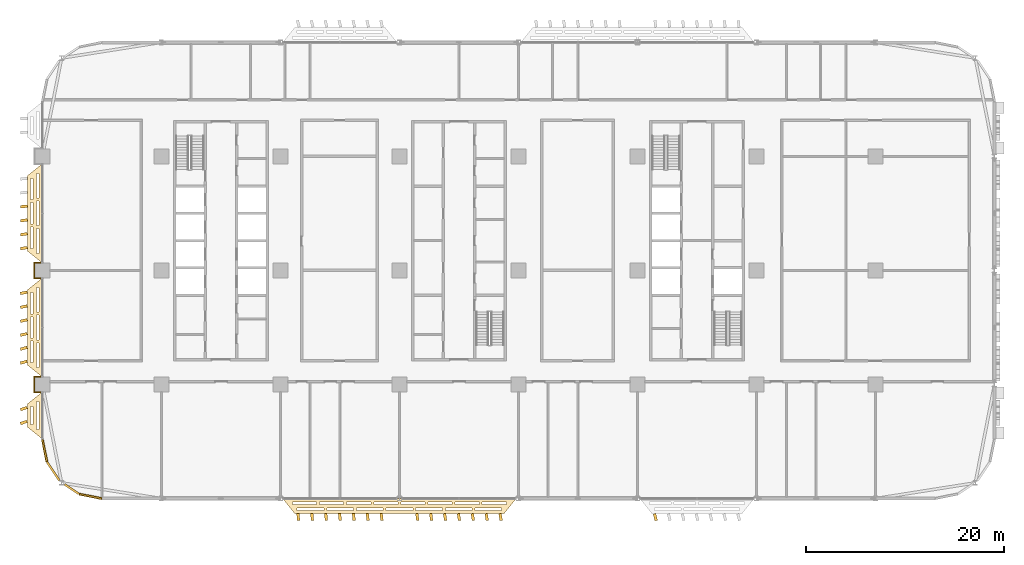
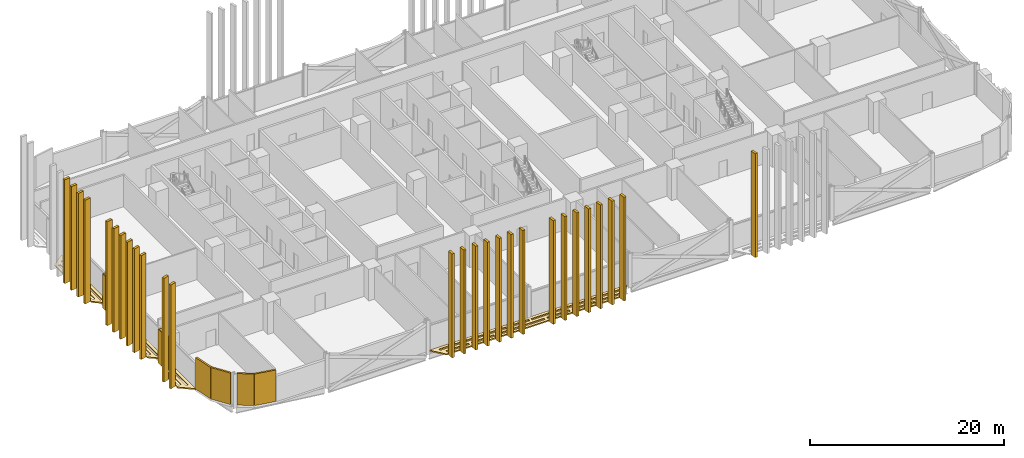
# One storey, part 24 of 29: 37 coverings.
"""IFC4 building model written with IfcOpenShell, lengths in metres."""

from ifc_helpers import new_model, si_unit, direction, frame, origin, origin_2d, place, context, subcontext, project, spatial, polyline, rectangle, outline, extrude, material, layer, layer_set, type_object, element, save


model = new_model("IFC4")

# Units and contexts
model_context = context("Model", 3, precision=1e-05, world=origin(), true_north=direction((0.0, 1.0)))
body_context = subcontext(model_context, "Body", "Model", "MODEL_VIEW")
ifc_project = project(units=[si_unit("LENGTHUNIT", "METRE"), si_unit("AREAUNIT", "SQUARE_METRE"), si_unit("VOLUMEUNIT", "CUBIC_METRE"), si_unit("PLANEANGLEUNIT", "RADIAN"), si_unit("MASSUNIT", "GRAM", prefix="KILO")], contexts=[model_context])

# Site, building, storey
site_placement = place(None, origin())
site = spatial("IfcSite", under=ifc_project, at=site_placement, CompositionType="ELEMENT")
building_placement = place(site_placement, origin())
building = spatial("IfcBuilding", under=site, at=building_placement, Name="Mahtab Terrace Research Tower", CompositionType="ELEMENT")
storey_placement = place(building_placement, frame((0.0, 0.0, 63.199951171875)))
storey = spatial("IfcBuildingStorey", under=building, at=storey_placement, Name="L14", CompositionType="ELEMENT", Elevation=63.199951171875)

# Coverings
ifc_material_1 = material(Name="Black aluminium cladding panel", Category="aluminium")
ifc_layer_1 = layer(ifc_material_1, 0.199951171875)
ifc_layer_set_1 = layer_set([ifc_layer_1], Name="Black metal corner cladding 200")
covering_type_1 = type_object("IfcCoveringType", Name="Black metal corner cladding 200", PredefinedType="CLADDING", material=ifc_layer_set_1)
covering_1_placement = place(storey_placement, frame((-41.771484375, -18.14794921875, 0.0), z_axis=(0.0, 0.0, 1.0), x_axis=(0.195212442692, -0.980760981187, 0.0)))
element("IfcCovering", 1, at=covering_1_placement, inside=storey, type_object=covering_type_1, Name="Corner cladding L14 19", PredefinedType="CLADDING", context=body_context, shape_type="SweptSolid", body=[
    extrude(rectangle(XDim=2.30126953125, YDim=0.199951171875, at=origin_2d()), origin(), (0.0, 0.0, 1.0), 3.9599609375),
])
covering_2_placement = place(storey_placement, frame((-40.911376953125, -20.2421875, 0.0), z_axis=(0.0, 0.0, 1.0), x_axis=(0.555291490808, -0.831655794326, 0.0)))
element("IfcCovering", 2, at=covering_2_placement, inside=storey, type_object=covering_type_1, Name="Corner cladding L14 20", PredefinedType="CLADDING", context=body_context, shape_type="SweptSolid", body=[
    extrude(rectangle(XDim=2.235595703125, YDim=0.199951171875, at=origin_2d()), origin(), (0.0, 0.0, 1.0), 3.9599609375),
])
covering_3_placement = place(storey_placement, frame((-39.0380859375, -22.047607421875, 0.0), z_axis=(0.0, 0.0, 1.0), x_axis=(0.831655794326, -0.555291490808, 0.0)))
element("IfcCovering", 3, at=covering_3_placement, inside=storey, type_object=covering_type_1, Name="Corner cladding L14 21", PredefinedType="CLADDING", context=body_context, shape_type="SweptSolid", body=[
    extrude(rectangle(XDim=1.74462890625, YDim=0.199951171875, at=origin_2d()), origin(), (0.0, 0.0, 1.0), 3.9599609375),
])
covering_4_placement = place(storey_placement, frame((-37.14794921875, -22.771484375, 0.0), z_axis=(0.0, 0.0, 1.0), x_axis=(0.980760981187, -0.195212442692, 0.0)))
element("IfcCovering", 4, at=covering_4_placement, inside=storey, type_object=covering_type_1, Name="Corner cladding L14 22", PredefinedType="CLADDING", context=body_context, shape_type="SweptSolid", body=[
    extrude(rectangle(XDim=2.30126953125, YDim=0.199951171875, at=origin_2d()), origin(), (0.0, 0.0, 1.0), 3.9599609375),
])
ifc_material_2 = material(Name="Dark anodised aluminium cladding", Category="aluminium")
ifc_layer_2 = layer(ifc_material_2, 0.10009765625)
ifc_layer_set_2 = layer_set([ifc_layer_2], Name="Column casing 100")
covering_type_2 = type_object("IfcCoveringType", Name="Column casing 100", PredefinedType="CLADDING", material=ifc_layer_set_2)
covering_5_placement = place(storey_placement, frame((0.0, 0.0, -0.33984375)))
element("IfcCovering", 5, at=covering_5_placement, inside=storey, type_object=covering_type_2, Name="Column casing RC-1A L14", PredefinedType="CLADDING", context=body_context, shape_type="SweptSolid", body=[
    extrude(outline(polyline([(-42.85009765625, -10.64990234375), (-42.0, -10.64990234375), (-42.0, -10.75), (-42.75, -10.75), (-42.75, -12.25), (-42.0, -12.25), (-42.0, -12.35009765625), (-42.85009765625, -12.35009765625), (-42.85009765625, -10.64990234375)])), origin(), (0.0, 0.0, 1.0), 4.2998046875),
])
covering_6_placement = place(storey_placement, frame((0.0, 0.0, -0.33984375)))
element("IfcCovering", 6, at=covering_6_placement, inside=storey, type_object=covering_type_2, Name="Column casing RC-1B L14", PredefinedType="CLADDING", context=body_context, shape_type="SweptSolid", body=[
    extrude(outline(polyline([(-42.85009765625, 0.85009765625), (-42.0, 0.85009765625), (-42.0, 0.75), (-42.75, 0.75), (-42.75, -0.75), (-42.0, -0.75), (-42.0, -0.85009765625), (-42.85009765625, -0.85009765625), (-42.85009765625, 0.85009765625)])), origin(), (0.0, 0.0, 1.0), 4.2998046875),
])
ifc_material_3 = material(Name="Black anodised aluminium", Category="aluminium")
ifc_layer_3 = layer(ifc_material_3, 0.14990234375)
ifc_layer_set_3 = layer_set([ifc_layer_3], Name="Horizontal sunshade band")
covering_type_3 = type_object("IfcCoveringType", Name="Horizontal sunshade band", PredefinedType="CLADDING", material=ifc_layer_set_3)
covering_7_placement = place(storey_placement, frame((0.0, 0.0, -0.14990234375)))
element("IfcCovering", 7, at=covering_7_placement, inside=storey, type_object=covering_type_3, Name="Sunshade band L14 16", PredefinedType="CLADDING", context=body_context, shape_type="SweptSolid", body=[
    extrude(outline(polyline([(-42.0, 10.75), (-42.0, 0.75), (-43.5, 1.949951171875), (-43.5, 9.550048828125), (-42.0, 10.75)]), holes=[polyline([(-42.35009765625, 9.77001953125), (-42.35009765625, 7.2900390625), (-42.60009765625, 7.2900390625), (-42.60009765625, 9.77001953125), (-42.35009765625, 9.77001953125)]), polyline([(-42.35009765625, 6.989990234375), (-42.35009765625, 4.510009765625), (-42.60009765625, 4.510009765625), (-42.60009765625, 6.989990234375), (-42.35009765625, 6.989990234375)]), polyline([(-42.35009765625, 4.2099609375), (-42.35009765625, 1.72998046875), (-42.60009765625, 1.72998046875), (-42.60009765625, 4.2099609375), (-42.35009765625, 4.2099609375)]), polyline([(-42.949951171875, 9.2900390625), (-42.949951171875, 7.1298828125), (-43.199951171875, 7.1298828125), (-43.199951171875, 9.2900390625), (-42.949951171875, 9.2900390625)]), polyline([(-42.949951171875, 6.830078125), (-42.949951171875, 4.669921875), (-43.199951171875, 4.669921875), (-43.199951171875, 6.830078125), (-42.949951171875, 6.830078125)]), polyline([(-42.949951171875, 4.3701171875), (-42.949951171875, 2.2099609375), (-43.199951171875, 2.2099609375), (-43.199951171875, 4.3701171875), (-42.949951171875, 4.3701171875)])]), origin(), (0.0, 0.0, 1.0), 0.14990234375),
])
covering_8_placement = place(storey_placement, frame((0.0, 0.0, -0.14990234375)))
element("IfcCovering", 8, at=covering_8_placement, inside=storey, type_object=covering_type_3, Name="Sunshade band L14 17", PredefinedType="CLADDING", context=body_context, shape_type="SweptSolid", body=[
    extrude(outline(polyline([(-42.0, -0.75), (-42.0, -10.75), (-43.5, -9.550048828125), (-43.5, -1.949951171875), (-42.0, -0.75)]), holes=[polyline([(-42.35009765625, -1.72998046875), (-42.35009765625, -4.2099609375), (-42.60009765625, -4.2099609375), (-42.60009765625, -1.72998046875), (-42.35009765625, -1.72998046875)]), polyline([(-42.35009765625, -4.510009765625), (-42.35009765625, -6.989990234375), (-42.60009765625, -6.989990234375), (-42.60009765625, -4.510009765625), (-42.35009765625, -4.510009765625)]), polyline([(-42.35009765625, -7.2900390625), (-42.35009765625, -9.77001953125), (-42.60009765625, -9.77001953125), (-42.60009765625, -7.2900390625), (-42.35009765625, -7.2900390625)]), polyline([(-42.949951171875, -2.2099609375), (-42.949951171875, -4.3701171875), (-43.199951171875, -4.3701171875), (-43.199951171875, -2.2099609375), (-42.949951171875, -2.2099609375)]), polyline([(-42.949951171875, -4.669921875), (-42.949951171875, -6.830078125), (-43.199951171875, -6.830078125), (-43.199951171875, -4.669921875), (-42.949951171875, -4.669921875)]), polyline([(-42.949951171875, -7.1298828125), (-42.949951171875, -9.2900390625), (-43.199951171875, -9.2900390625), (-43.199951171875, -7.1298828125), (-42.949951171875, -7.1298828125)])]), origin(), (0.0, 0.0, 1.0), 0.14990234375),
])
covering_9_placement = place(storey_placement, frame((0.0, 0.0, -0.14990234375)))
element("IfcCovering", 9, at=covering_9_placement, inside=storey, type_object=covering_type_3, Name="Sunshade band L14 18", PredefinedType="CLADDING", context=body_context, shape_type="SweptSolid", body=[
    extrude(outline(polyline([(-42.0, -12.25), (-42.0, -17.0), (-43.5, -15.800048828125), (-43.5, -13.449951171875), (-42.0, -12.25)]), holes=[polyline([(-42.35009765625, -13.22998046875), (-42.35009765625, -16.02001953125), (-42.60009765625, -16.02001953125), (-42.60009765625, -13.22998046875), (-42.35009765625, -13.22998046875)]), polyline([(-42.949951171875, -13.7099609375), (-42.949951171875, -15.5400390625), (-43.199951171875, -15.5400390625), (-43.199951171875, -13.7099609375), (-42.949951171875, -13.7099609375)])]), origin(), (0.0, 0.0, 1.0), 0.14990234375),
])
covering_10_placement = place(storey_placement, frame((0.0, 0.0, -0.14990234375)))
element("IfcCovering", 10, at=covering_10_placement, inside=storey, type_object=covering_type_3, Name="Sunshade band L14 25", PredefinedType="CLADDING", context=body_context, shape_type="SweptSolid", body=[
    extrude(outline(polyline([(-17.761962890625, -23.0), (5.761962890625, -23.0), (4.56201171875, -24.5), (-16.56201171875, -24.5), (-17.761962890625, -23.0)]), holes=[polyline([(-16.781982421875, -23.35009765625), (-14.34912109375, -23.35009765625), (-14.34912109375, -23.60009765625), (-16.781982421875, -23.60009765625), (-16.781982421875, -23.35009765625)]), polyline([(-14.049072265625, -23.35009765625), (-11.615966796875, -23.35009765625), (-11.615966796875, -23.60009765625), (-14.049072265625, -23.60009765625), (-14.049072265625, -23.35009765625)]), polyline([(-11.31591796875, -23.35009765625), (-8.883056640625, -23.35009765625), (-8.883056640625, -23.60009765625), (-11.31591796875, -23.60009765625), (-11.31591796875, -23.35009765625)]), polyline([(-8.5830078125, -23.35009765625), (-6.14990234375, -23.35009765625), (-6.14990234375, -23.60009765625), (-8.5830078125, -23.60009765625), (-8.5830078125, -23.35009765625)]), polyline([(-5.85009765625, -23.35009765625), (-3.4169921875, -23.35009765625), (-3.4169921875, -23.60009765625), (-5.85009765625, -23.60009765625), (-5.85009765625, -23.35009765625)]), polyline([(-3.116943359375, -23.35009765625), (-0.68408203125, -23.35009765625), (-0.68408203125, -23.60009765625), (-3.116943359375, -23.60009765625), (-3.116943359375, -23.35009765625)]), polyline([(-0.384033203125, -23.35009765625), (2.049072265625, -23.35009765625), (2.049072265625, -23.60009765625), (-0.384033203125, -23.60009765625), (-0.384033203125, -23.35009765625)]), polyline([(2.34912109375, -23.35009765625), (4.781982421875, -23.35009765625), (4.781982421875, -23.60009765625), (2.34912109375, -23.60009765625), (2.34912109375, -23.35009765625)]), polyline([(-16.302001953125, -23.949951171875), (-13.615966796875, -23.949951171875), (-13.615966796875, -24.199951171875), (-16.302001953125, -24.199951171875), (-16.302001953125, -23.949951171875)]), polyline([(-13.31591796875, -23.949951171875), (-10.62890625, -23.949951171875), (-10.62890625, -24.199951171875), (-13.31591796875, -24.199951171875), (-13.31591796875, -23.949951171875)]), polyline([(-10.3291015625, -23.949951171875), (-7.64306640625, -23.949951171875), (-7.64306640625, -24.199951171875), (-10.3291015625, -24.199951171875), (-10.3291015625, -23.949951171875)]), polyline([(-7.343017578125, -23.949951171875), (-4.656982421875, -23.949951171875), (-4.656982421875, -24.199951171875), (-7.343017578125, -24.199951171875), (-7.343017578125, -23.949951171875)]), polyline([(-4.35693359375, -23.949951171875), (-1.6708984375, -23.949951171875), (-1.6708984375, -24.199951171875), (-4.35693359375, -24.199951171875), (-4.35693359375, -23.949951171875)]), polyline([(-1.37109375, -23.949951171875), (1.31591796875, -23.949951171875), (1.31591796875, -24.199951171875), (-1.37109375, -24.199951171875), (-1.37109375, -23.949951171875)]), polyline([(1.615966796875, -23.949951171875), (4.302001953125, -23.949951171875), (4.302001953125, -24.199951171875), (1.615966796875, -24.199951171875), (1.615966796875, -23.949951171875)])]), origin(), (0.0, 0.0, 1.0), 0.14990234375),
])
ifc_material_4 = material(Name="Bronze anodised aluminium", Category="aluminium")
ifc_layer_4 = layer(ifc_material_4, 0.1201171875)
ifc_layer_set_4 = layer_set([ifc_layer_4], Name="Vertical fin 700")
covering_type_4 = type_object("IfcCoveringType", Name="Vertical fin 700", PredefinedType="CLADDING", material=ifc_layer_set_4)
for number, where, z_axis, x_axis, name in (
    (11, (-43.863037109375, 6.449951171875, -0.14990234375), (0.0, 0.0, 1.0), (0.108101421065, -0.994139870825, 0.0), "Fin L14 W3"),
    (12, (-43.864501953125, 5.050048828125, -0.14990234375), (0.0, 0.0, 1.0), (0.122378833164, -0.992483461421, 0.0), "Fin L14 W4"),
    (13, (-43.865966796875, 3.64990234375, -0.14990234375), (0.0, 0.0, 1.0), (0.136630963225, -0.990622016658, 0.0), "Fin L14 W5"),
    (14, (-43.8671875, 2.25, -0.14990234375), (0.0, 0.0, 1.0), (0.15085486696, -0.988555921086, 0.0), "Fin L14 W6"),
    (15, (-43.87060546875, -2.25, -0.14990234375), (0.0, 0.0, 1.0), (0.196348832524, -0.980534107498, 0.0), "Fin L14 W1"),
    (16, (-43.87158203125, -3.64990234375, -0.14990234375), (0.0, 0.0, 1.0), (0.210421576206, -0.977610740667, 0.0), "Fin L14 W2"),
    (17, (-43.87255859375, -5.050048828125, -0.14990234375), (0.0, 0.0, 1.0), (0.224450849259, -0.974485411008, 0.0), "Fin L14 W3"),
    (18, (-43.873291015625, -6.449951171875, -0.14990234375), (0.0, 0.0, 1.0), (0.238433753434, -0.971158764169, 0.0), "Fin L14 W4"),
    (19, (-43.8740234375, -7.85009765625, -0.14990234375), (0.0, 0.0, 1.0), (0.252367400013, -0.967631487401, 0.0), "Fin L14 W5"),
    (20, (-43.874755859375, -9.25, -0.14990234375), (0.0, 0.0, 1.0), (0.266248910467, -0.963904309397, 0.0), "Fin L14 W6"),
    (21, (-43.876220703125, -13.925048828125, -0.14990234375), (0.0, 0.0, 1.0), (0.312188619462, -0.950020139722, 0.0), "Fin L14 W1"),
    (22, (-43.87646484375, -15.324951171875, -0.14990234375), (0.0, 0.0, 1.0), (0.325810826258, -0.94543498216, 0.0), "Fin L14 W2"),
    (23, (-16.199951171875, -24.8603515625, -0.14990234375), (0.0, 0.0, 1.0), (0.996616925886, 0.082187000416, 0.0), "Fin L14 S1"),
    (24, (-14.800048828125, -24.86083984375, -0.14990234375), (0.0, 0.0, 1.0), (0.996121918106, 0.087983659104, 0.0), "Fin L14 S2"),
    (25, (-13.39990234375, -24.861572265625, -0.14990234375), (0.0, 0.0, 1.0), (0.995593195301, 0.093777339855, 0.0), "Fin L14 S3"),
    (26, (-12.0, -24.8623046875, -0.14990234375), (0.0, 0.0, 1.0), (0.995030775366, 0.099567846591, 0.0), "Fin L14 S4"),
    (27, (-10.60009765625, -24.86279296875, -0.14990234375), (0.0, 0.0, 1.0), (0.994434677334, 0.105354983343, 0.0), "Fin L14 S5"),
    (28, (-9.199951171875, -24.86328125, -0.14990234375), (0.0, 0.0, 1.0), (0.993804921385, 0.111138554202, 0.0), "Fin L14 S6"),
    (29, (-7.800048828125, -24.864013671875, -0.14990234375), (0.0, 0.0, 1.0), (0.993141528832, 0.116918363435, 0.0), "Fin L14 S7"),
    (30, (-4.199951171875, -24.865478515625, -0.14990234375), (0.0, 0.0, 1.0), (0.991281368707, 0.131762088833, 0.0), "Fin L14 S1"),
    (31, (-2.800048828125, -24.865966796875, -0.14990234375), (0.0, 0.0, 1.0), (0.990498036675, 0.137526867716, 0.0), "Fin L14 S2"),
    (32, (-1.39990234375, -24.866455078125, -0.14990234375), (0.0, 0.0, 1.0), (0.989681179966, 0.143286991809, 0.0), "Fin L14 S3"),
    (33, (0.0, -24.866943359375, -0.14990234375), (0.0, 0.0, 1.0), (0.988830826226, 0.149042266169, 0.0), "Fin L14 S4"),
    (34, (1.39990234375, -24.867431640625, -0.14990234375), (0.0, 0.0, 1.0), (0.987947004235, 0.154792496019, 0.0), "Fin L14 S5"),
    (35, (2.800048828125, -24.867919921875, -0.14990234375), (0.0, 0.0, 1.0), (0.98702974391, 0.160537486702, 0.0), "Fin L14 S6"),
    (36, (4.199951171875, -24.868408203125, -0.14990234375), (0.0, 0.0, 1.0), (0.986079076296, 0.166277043787, 0.0), "Fin L14 S7"),
    (37, (19.800048828125, -24.872802734375, -0.14990234375), (0.0, 0.0, 1.0), (0.973236201459, 0.22980708468, 0.0), "Fin L14 S1"),
):
    element("IfcCovering", number, at=place(storey_placement, frame(where, z_axis=z_axis, x_axis=x_axis)), inside=storey, type_object=covering_type_4, Name=name, PredefinedType="CLADDING", context=body_context, shape_type="SweptSolid", body=[
        extrude(rectangle(XDim=0.280029296875, YDim=0.699951171875, at=origin_2d()), origin(), (0.0, 0.0, 1.0), 13.050048828125),
    ])

save(model, "model.ifc")
